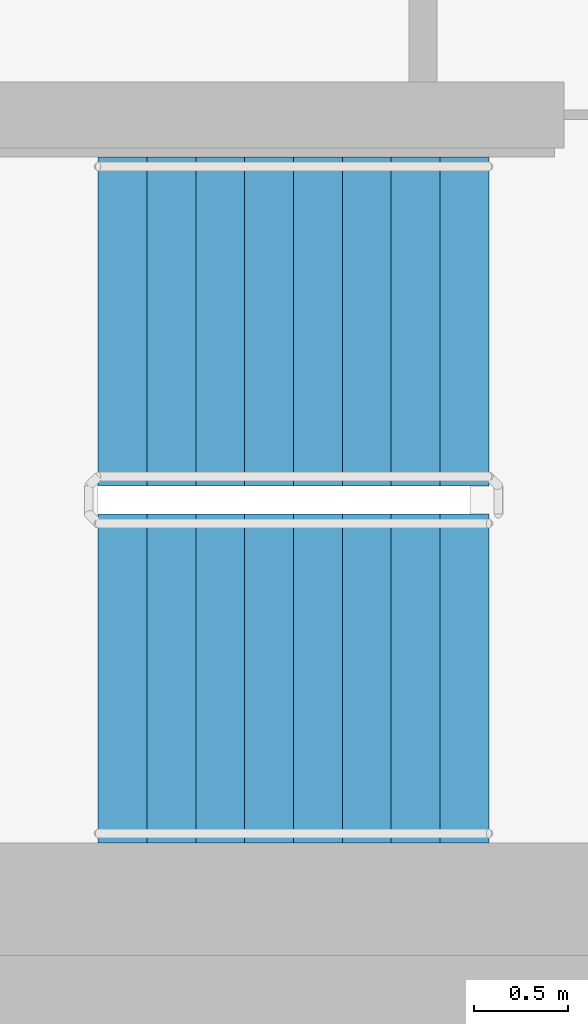
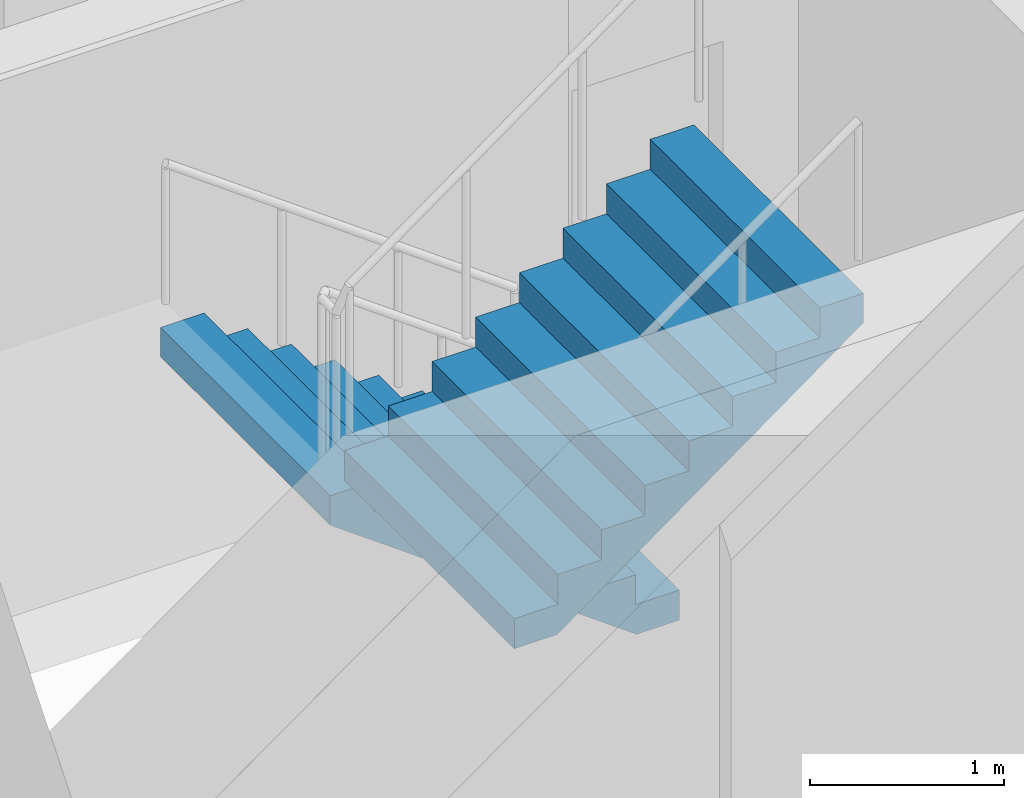
# One storey, part 12 of 18: 2 stair flights, 1 element without a shape of its own.
"""IFC4 building model written with IfcOpenShell, lengths in metres."""

from ifc_helpers import new_model, si_unit, direction, frame, origin, place, context, subcontext, project, spatial, faceted_brep, material, type_object, element, aggregate, save


model = new_model("IFC4")

# Units and contexts
model_context = context("Model", 3, precision=1e-05, world=origin(), true_north=direction((0.0, 1.0)))
body_context = subcontext(model_context, "Body", "Model", "MODEL_VIEW")
ifc_project = project(units=[si_unit("LENGTHUNIT", "METRE"), si_unit("AREAUNIT", "SQUARE_METRE"), si_unit("VOLUMEUNIT", "CUBIC_METRE"), si_unit("PLANEANGLEUNIT", "RADIAN"), si_unit("MASSUNIT", "GRAM", prefix="KILO")], contexts=[model_context])

# Site, building, storey
site_placement = place(None, origin())
site = spatial("IfcSite", under=ifc_project, at=site_placement, CompositionType="ELEMENT")
building_placement = place(site_placement, origin())
building = spatial("IfcBuilding", under=site, at=building_placement, Name="Ipe Terrace Towers", CompositionType="ELEMENT")
storey_placement = place(building_placement, frame((0.0, 0.0, 219.800048828125)))
storey = spatial("IfcBuildingStorey", under=building, at=storey_placement, Name="L61", CompositionType="ELEMENT", Elevation=219.800048828125)

# Stair, stair flights
ifc_material_1 = material(Name="Concrete C30/37", Category="concrete")
stair_type = type_object("IfcStairType", Name="Protected exit stair", PredefinedType="HALF_TURN_STAIR", material=ifc_material_1)
stair_placement = place(storey_placement, origin())
stair = element("IfcStair", 1, at=stair_placement, inside=storey, type_object=stair_type, Name="L61 Exit stair T1-C2", PredefinedType="HALF_TURN_STAIR")
ifc_material_2 = material(Name="Concrete C30/37", Category="concrete")
stair_flight_type = type_object("IfcStairFlightType", Name="Exit stair flight 1750", PredefinedType="STRAIGHT", material=ifc_material_2)
stair_flight_1_placement = place(storey_placement, frame((-45.699951171875, -2.77490234375, 0.0), z_axis=(0.0, 0.0, 1.0), x_axis=(-1.0, 0.0, 0.0)))
stair_flight_1 = element("IfcStairFlight", 2, at=stair_flight_1_placement, type_object=stair_flight_type, Name="T1-ST2 flight 1", NumberOfRisers=9, NumberOfTreads=8, PredefinedType="STRAIGHT", RiserHeight=0.188888889, TreadLength=0.26, context=body_context, shape_type="Brep", body=[
    faceted_brep([(0.255126953125, -0.875, 0.0), (2.080078125, -0.875, 1.325927734375), (2.080078125, -0.875, 1.51123046875), (1.820068359375, -0.875, 1.51123046875), (1.820068359375, -0.875, 1.322265625), (1.56005859375, -0.875, 1.322265625), (1.56005859375, -0.875, 1.13330078125), (1.300048828125, -0.875, 1.13330078125), (1.300048828125, -0.875, 0.9443359375), (1.0400390625, -0.875, 0.9443359375), (1.0400390625, -0.875, 0.755615234375), (0.780029296875, -0.875, 0.755615234375), (0.780029296875, -0.875, 0.566650390625), (0.52001953125, -0.875, 0.566650390625), (0.52001953125, -0.875, 0.377685546875), (0.260009765625, -0.875, 0.377685546875), (0.260009765625, -0.875, 0.18896484375), (0.0, -0.875, 0.18896484375), (0.0, -0.875, 0.0), (0.0, 0.875, 0.0), (0.0, 0.875, 0.18896484375), (0.260009765625, 0.875, 0.18896484375), (0.260009765625, 0.875, 0.377685546875), (0.52001953125, 0.875, 0.377685546875), (0.52001953125, 0.875, 0.566650390625), (0.780029296875, 0.875, 0.566650390625), (0.780029296875, 0.875, 0.755615234375), (1.0400390625, 0.875, 0.755615234375), (1.0400390625, 0.875, 0.9443359375), (1.300048828125, 0.875, 0.9443359375), (1.300048828125, 0.875, 1.13330078125), (1.56005859375, 0.875, 1.13330078125), (1.56005859375, 0.875, 1.322265625), (1.820068359375, 0.875, 1.322265625), (1.820068359375, 0.875, 1.51123046875), (2.080078125, 0.875, 1.51123046875), (2.080078125, 0.875, 1.325927734375), (0.255126953125, 0.875, 0.0), (0.0, -0.300048828125, 0.18896484375), (0.0, -0.1201171875, 0.18896484375), (0.0, -0.06005859375, 0.18896484375), (0.0, -0.030029296875, 0.18896484375), (0.0, -0.010009765625, 0.18896484375), (0.0, 0.0, 0.18896484375), (0.0, 0.010009765625, 0.18896484375), (0.0, 0.030029296875, 0.18896484375), (0.0, 0.06005859375, 0.18896484375), (0.0, 0.1201171875, 0.18896484375), (0.0, 0.300048828125, 0.18896484375), (0.0, 0.300048828125, 0.0), (0.0, 0.1201171875, 0.0), (0.0, 0.06005859375, 0.0), (0.0, 0.030029296875, 0.0), (0.0, 0.010009765625, 0.0), (0.0, 0.0, 0.0), (0.0, -0.010009765625, 0.0), (0.0, -0.030029296875, 0.0), (0.0, -0.06005859375, 0.0), (0.0, -0.1201171875, 0.0), (0.0, -0.300048828125, 0.0), (0.260009765625, -0.300048828125, 0.18896484375), (0.260009765625, -0.1201171875, 0.18896484375), (0.260009765625, -0.06005859375, 0.18896484375), (0.260009765625, -0.030029296875, 0.18896484375), (0.260009765625, -0.010009765625, 0.18896484375), (0.260009765625, 0.0, 0.18896484375), (0.260009765625, 0.010009765625, 0.18896484375), (0.260009765625, 0.030029296875, 0.18896484375), (0.260009765625, 0.06005859375, 0.18896484375), (0.260009765625, 0.1201171875, 0.18896484375), (0.260009765625, 0.300048828125, 0.18896484375), (0.260009765625, -0.300048828125, 0.377685546875), (0.260009765625, -0.1201171875, 0.377685546875), (0.260009765625, -0.06005859375, 0.377685546875), (0.260009765625, -0.030029296875, 0.377685546875), (0.260009765625, -0.010009765625, 0.377685546875), (0.260009765625, 0.0, 0.377685546875), (0.260009765625, 0.010009765625, 0.377685546875), (0.260009765625, 0.030029296875, 0.377685546875), (0.260009765625, 0.06005859375, 0.377685546875), (0.260009765625, 0.1201171875, 0.377685546875), (0.260009765625, 0.300048828125, 0.377685546875), (0.52001953125, -0.300048828125, 0.377685546875), (0.52001953125, -0.1201171875, 0.377685546875), (0.52001953125, -0.06005859375, 0.377685546875), (0.52001953125, -0.030029296875, 0.377685546875), (0.52001953125, -0.010009765625, 0.377685546875), (0.52001953125, 0.0, 0.377685546875), (0.52001953125, 0.010009765625, 0.377685546875), (0.52001953125, 0.030029296875, 0.377685546875), (0.52001953125, 0.06005859375, 0.377685546875), (0.52001953125, 0.1201171875, 0.377685546875), (0.52001953125, 0.300048828125, 0.377685546875), (0.52001953125, -0.300048828125, 0.566650390625), (0.52001953125, -0.1201171875, 0.566650390625), (0.52001953125, -0.06005859375, 0.566650390625), (0.52001953125, -0.030029296875, 0.566650390625), (0.52001953125, -0.010009765625, 0.566650390625), (0.52001953125, 0.0, 0.566650390625), (0.52001953125, 0.010009765625, 0.566650390625), (0.52001953125, 0.030029296875, 0.566650390625), (0.52001953125, 0.06005859375, 0.566650390625), (0.52001953125, 0.1201171875, 0.566650390625), (0.52001953125, 0.300048828125, 0.566650390625), (0.780029296875, -0.300048828125, 0.566650390625), (0.780029296875, -0.1201171875, 0.566650390625), (0.780029296875, -0.06005859375, 0.566650390625), (0.780029296875, -0.030029296875, 0.566650390625), (0.780029296875, -0.010009765625, 0.566650390625), (0.780029296875, 0.0, 0.566650390625), (0.780029296875, 0.010009765625, 0.566650390625), (0.780029296875, 0.030029296875, 0.566650390625), (0.780029296875, 0.06005859375, 0.566650390625), (0.780029296875, 0.1201171875, 0.566650390625), (0.780029296875, 0.300048828125, 0.566650390625), (0.780029296875, -0.300048828125, 0.755615234375), (0.780029296875, -0.1201171875, 0.755615234375), (0.780029296875, -0.06005859375, 0.755615234375), (0.780029296875, -0.030029296875, 0.755615234375), (0.780029296875, -0.010009765625, 0.755615234375), (0.780029296875, 0.0, 0.755615234375), (0.780029296875, 0.010009765625, 0.755615234375), (0.780029296875, 0.030029296875, 0.755615234375), (0.780029296875, 0.06005859375, 0.755615234375), (0.780029296875, 0.1201171875, 0.755615234375), (0.780029296875, 0.300048828125, 0.755615234375), (1.0400390625, -0.300048828125, 0.755615234375), (1.0400390625, -0.1201171875, 0.755615234375), (1.0400390625, -0.06005859375, 0.755615234375), (1.0400390625, -0.030029296875, 0.755615234375), (1.0400390625, -0.010009765625, 0.755615234375), (1.0400390625, 0.0, 0.755615234375), (1.0400390625, 0.010009765625, 0.755615234375), (1.0400390625, 0.030029296875, 0.755615234375), (1.0400390625, 0.06005859375, 0.755615234375), (1.0400390625, 0.1201171875, 0.755615234375), (1.0400390625, 0.300048828125, 0.755615234375), (1.0400390625, -0.300048828125, 0.9443359375), (1.0400390625, -0.1201171875, 0.9443359375), (1.0400390625, -0.06005859375, 0.9443359375), (1.0400390625, -0.030029296875, 0.9443359375), (1.0400390625, -0.010009765625, 0.9443359375), (1.0400390625, 0.0, 0.9443359375), (1.0400390625, 0.010009765625, 0.9443359375), (1.0400390625, 0.030029296875, 0.9443359375), (1.0400390625, 0.06005859375, 0.9443359375), (1.0400390625, 0.1201171875, 0.9443359375), (1.0400390625, 0.300048828125, 0.9443359375), (1.300048828125, -0.300048828125, 0.9443359375), (1.300048828125, -0.1201171875, 0.9443359375), (1.300048828125, -0.06005859375, 0.9443359375), (1.300048828125, -0.030029296875, 0.9443359375), (1.300048828125, -0.010009765625, 0.9443359375), (1.300048828125, 0.0, 0.9443359375), (1.300048828125, 0.010009765625, 0.9443359375), (1.300048828125, 0.030029296875, 0.9443359375), (1.300048828125, 0.06005859375, 0.9443359375), (1.300048828125, 0.1201171875, 0.9443359375), (1.300048828125, 0.300048828125, 0.9443359375), (1.300048828125, -0.300048828125, 1.13330078125), (1.300048828125, -0.1201171875, 1.13330078125), (1.300048828125, -0.06005859375, 1.13330078125), (1.300048828125, -0.030029296875, 1.13330078125), (1.300048828125, -0.010009765625, 1.13330078125), (1.300048828125, 0.0, 1.13330078125), (1.300048828125, 0.010009765625, 1.13330078125), (1.300048828125, 0.030029296875, 1.13330078125), (1.300048828125, 0.06005859375, 1.13330078125), (1.300048828125, 0.1201171875, 1.13330078125), (1.300048828125, 0.300048828125, 1.13330078125), (1.56005859375, -0.300048828125, 1.13330078125), (1.56005859375, -0.1201171875, 1.13330078125), (1.56005859375, -0.06005859375, 1.13330078125), (1.56005859375, -0.030029296875, 1.13330078125), (1.56005859375, -0.010009765625, 1.13330078125), (1.56005859375, 0.0, 1.13330078125), (1.56005859375, 0.010009765625, 1.13330078125), (1.56005859375, 0.030029296875, 1.13330078125), (1.56005859375, 0.06005859375, 1.13330078125), (1.56005859375, 0.1201171875, 1.13330078125), (1.56005859375, 0.300048828125, 1.13330078125), (1.56005859375, -0.300048828125, 1.322265625), (1.56005859375, -0.1201171875, 1.322265625), (1.56005859375, -0.06005859375, 1.322265625), (1.56005859375, -0.030029296875, 1.322265625), (1.56005859375, -0.010009765625, 1.322265625), (1.56005859375, 0.0, 1.322265625), (1.56005859375, 0.010009765625, 1.322265625), (1.56005859375, 0.030029296875, 1.322265625), (1.56005859375, 0.06005859375, 1.322265625), (1.56005859375, 0.1201171875, 1.322265625), (1.56005859375, 0.300048828125, 1.322265625), (1.820068359375, -0.300048828125, 1.322265625), (1.820068359375, -0.1201171875, 1.322265625), (1.820068359375, -0.06005859375, 1.322265625), (1.820068359375, -0.030029296875, 1.322265625), (1.820068359375, -0.010009765625, 1.322265625), (1.820068359375, 0.0, 1.322265625), (1.820068359375, 0.010009765625, 1.322265625), (1.820068359375, 0.030029296875, 1.322265625), (1.820068359375, 0.06005859375, 1.322265625), (1.820068359375, 0.1201171875, 1.322265625), (1.820068359375, 0.300048828125, 1.322265625), (1.820068359375, -0.300048828125, 1.51123046875), (1.820068359375, -0.1201171875, 1.51123046875), (1.820068359375, -0.06005859375, 1.51123046875), (1.820068359375, -0.030029296875, 1.51123046875), (1.820068359375, -0.010009765625, 1.51123046875), (1.820068359375, 0.0, 1.51123046875), (1.820068359375, 0.010009765625, 1.51123046875), (1.820068359375, 0.030029296875, 1.51123046875), (1.820068359375, 0.06005859375, 1.51123046875), (1.820068359375, 0.1201171875, 1.51123046875), (1.820068359375, 0.300048828125, 1.51123046875), (2.080078125, -0.300048828125, 1.51123046875), (2.080078125, -0.1201171875, 1.51123046875), (2.080078125, -0.06005859375, 1.51123046875), (2.080078125, -0.030029296875, 1.51123046875), (2.080078125, -0.010009765625, 1.51123046875), (2.080078125, 0.0, 1.51123046875), (2.080078125, 0.010009765625, 1.51123046875), (2.080078125, 0.030029296875, 1.51123046875), (2.080078125, 0.06005859375, 1.51123046875), (2.080078125, 0.1201171875, 1.51123046875), (2.080078125, 0.300048828125, 1.51123046875), (2.080078125, -0.300048828125, 1.325927734375), (2.080078125, -0.1201171875, 1.325927734375), (2.080078125, -0.06005859375, 1.325927734375), (2.080078125, -0.030029296875, 1.325927734375), (2.080078125, -0.010009765625, 1.325927734375), (2.080078125, 0.0, 1.325927734375), (2.080078125, 0.010009765625, 1.325927734375), (2.080078125, 0.030029296875, 1.325927734375), (2.080078125, 0.06005859375, 1.325927734375), (2.080078125, 0.1201171875, 1.325927734375), (2.080078125, 0.300048828125, 1.325927734375), (0.255126953125, -0.300048828125, 0.0), (0.255126953125, -0.1201171875, 0.0), (0.255126953125, -0.06005859375, 0.0), (0.255126953125, -0.030029296875, 0.0), (0.255126953125, -0.010009765625, 0.0), (0.255126953125, 0.0, 0.0), (0.255126953125, 0.010009765625, 0.0), (0.255126953125, 0.030029296875, 0.0), (0.255126953125, 0.06005859375, 0.0), (0.255126953125, 0.1201171875, 0.0), (0.255126953125, 0.300048828125, 0.0)], [[[0, 1, 2, 3, 4, 5, 6, 7, 8, 9, 10, 11, 12, 13, 14, 15, 16, 17, 18]], [[19, 20, 21, 22, 23, 24, 25, 26, 27, 28, 29, 30, 31, 32, 33, 34, 35, 36, 37]], [[17, 38, 39, 40, 41, 42, 43, 44, 45, 46, 47, 48, 20, 19, 49, 50, 51, 52, 53, 54, 55, 56, 57, 58, 59, 18]], [[16, 60, 61, 62, 63, 64, 65, 66, 67, 68, 69, 70, 21, 20, 48, 47, 46, 45, 44, 43, 42, 41, 40, 39, 38, 17]], [[15, 71, 72, 73, 74, 75, 76, 77, 78, 79, 80, 81, 22, 21, 70, 69, 68, 67, 66, 65, 64, 63, 62, 61, 60, 16]], [[14, 82, 83, 84, 85, 86, 87, 88, 89, 90, 91, 92, 23, 22, 81, 80, 79, 78, 77, 76, 75, 74, 73, 72, 71, 15]], [[13, 93, 94, 95, 96, 97, 98, 99, 100, 101, 102, 103, 24, 23, 92, 91, 90, 89, 88, 87, 86, 85, 84, 83, 82, 14]], [[12, 104, 105, 106, 107, 108, 109, 110, 111, 112, 113, 114, 25, 24, 103, 102, 101, 100, 99, 98, 97, 96, 95, 94, 93, 13]], [[11, 115, 116, 117, 118, 119, 120, 121, 122, 123, 124, 125, 26, 25, 114, 113, 112, 111, 110, 109, 108, 107, 106, 105, 104, 12]], [[10, 126, 127, 128, 129, 130, 131, 132, 133, 134, 135, 136, 27, 26, 125, 124, 123, 122, 121, 120, 119, 118, 117, 116, 115, 11]], [[9, 137, 138, 139, 140, 141, 142, 143, 144, 145, 146, 147, 28, 27, 136, 135, 134, 133, 132, 131, 130, 129, 128, 127, 126, 10]], [[8, 148, 149, 150, 151, 152, 153, 154, 155, 156, 157, 158, 29, 28, 147, 146, 145, 144, 143, 142, 141, 140, 139, 138, 137, 9]], [[7, 159, 160, 161, 162, 163, 164, 165, 166, 167, 168, 169, 30, 29, 158, 157, 156, 155, 154, 153, 152, 151, 150, 149, 148, 8]], [[6, 170, 171, 172, 173, 174, 175, 176, 177, 178, 179, 180, 31, 30, 169, 168, 167, 166, 165, 164, 163, 162, 161, 160, 159, 7]], [[5, 181, 182, 183, 184, 185, 186, 187, 188, 189, 190, 191, 32, 31, 180, 179, 178, 177, 176, 175, 174, 173, 172, 171, 170, 6]], [[4, 192, 193, 194, 195, 196, 197, 198, 199, 200, 201, 202, 33, 32, 191, 190, 189, 188, 187, 186, 185, 184, 183, 182, 181, 5]], [[3, 203, 204, 205, 206, 207, 208, 209, 210, 211, 212, 213, 34, 33, 202, 201, 200, 199, 198, 197, 196, 195, 194, 193, 192, 4]], [[2, 214, 215, 216, 217, 218, 219, 220, 221, 222, 223, 224, 35, 34, 213, 212, 211, 210, 209, 208, 207, 206, 205, 204, 203, 3]], [[1, 225, 226, 227, 228, 229, 230, 231, 232, 233, 234, 235, 36, 35, 224, 223, 222, 221, 220, 219, 218, 217, 216, 215, 214, 2]], [[0, 236, 237, 238, 239, 240, 241, 242, 243, 244, 245, 246, 37, 36, 235, 234, 233, 232, 231, 230, 229, 228, 227, 226, 225, 1]], [[18, 59, 58, 57, 56, 55, 54, 53, 52, 51, 50, 49, 19, 37, 246, 245, 244, 243, 242, 241, 240, 239, 238, 237, 236, 0]]]),
])
stair_flight_2_placement = place(storey_placement, frame((-47.780029296875, -4.675048828125, 1.699951171875), z_axis=(0.0, 0.0, 1.0), x_axis=(1.0, 0.0, 0.0)))
stair_flight_2 = element("IfcStairFlight", 3, at=stair_flight_2_placement, type_object=stair_flight_type, Name="T1-ST2 flight 2", NumberOfRisers=9, NumberOfTreads=8, PredefinedType="STRAIGHT", RiserHeight=0.188888889, TreadLength=0.26, context=body_context, shape_type="Brep", body=[
    faceted_brep([(0.255126953125, -0.875, 0.0), (2.080078125, -0.875, 1.325927734375), (2.080078125, -0.875, 1.51123046875), (1.820068359375, -0.875, 1.51123046875), (1.820068359375, -0.875, 1.322265625), (1.56005859375, -0.875, 1.322265625), (1.56005859375, -0.875, 1.13330078125), (1.300048828125, -0.875, 1.13330078125), (1.300048828125, -0.875, 0.9443359375), (1.0400390625, -0.875, 0.9443359375), (1.0400390625, -0.875, 0.755615234375), (0.780029296875, -0.875, 0.755615234375), (0.780029296875, -0.875, 0.566650390625), (0.52001953125, -0.875, 0.566650390625), (0.52001953125, -0.875, 0.377685546875), (0.260009765625, -0.875, 0.377685546875), (0.260009765625, -0.875, 0.18896484375), (0.0, -0.875, 0.18896484375), (0.0, -0.875, 0.0), (0.0, 0.875, 0.0), (0.0, 0.875, 0.18896484375), (0.260009765625, 0.875, 0.18896484375), (0.260009765625, 0.875, 0.377685546875), (0.52001953125, 0.875, 0.377685546875), (0.52001953125, 0.875, 0.566650390625), (0.780029296875, 0.875, 0.566650390625), (0.780029296875, 0.875, 0.755615234375), (1.0400390625, 0.875, 0.755615234375), (1.0400390625, 0.875, 0.9443359375), (1.300048828125, 0.875, 0.9443359375), (1.300048828125, 0.875, 1.13330078125), (1.56005859375, 0.875, 1.13330078125), (1.56005859375, 0.875, 1.322265625), (1.820068359375, 0.875, 1.322265625), (1.820068359375, 0.875, 1.51123046875), (2.080078125, 0.875, 1.51123046875), (2.080078125, 0.875, 1.325927734375), (0.255126953125, 0.875, 0.0), (0.0, -0.300048828125, 0.18896484375), (0.0, -0.1201171875, 0.18896484375), (0.0, -0.06005859375, 0.18896484375), (0.0, -0.030029296875, 0.18896484375), (0.0, -0.010009765625, 0.18896484375), (0.0, 0.0, 0.18896484375), (0.0, 0.010009765625, 0.18896484375), (0.0, 0.030029296875, 0.18896484375), (0.0, 0.06005859375, 0.18896484375), (0.0, 0.1201171875, 0.18896484375), (0.0, 0.300048828125, 0.18896484375), (0.0, 0.300048828125, 0.0), (0.0, 0.1201171875, 0.0), (0.0, 0.06005859375, 0.0), (0.0, 0.030029296875, 0.0), (0.0, 0.010009765625, 0.0), (0.0, 0.0, 0.0), (0.0, -0.010009765625, 0.0), (0.0, -0.030029296875, 0.0), (0.0, -0.06005859375, 0.0), (0.0, -0.1201171875, 0.0), (0.0, -0.300048828125, 0.0), (0.260009765625, -0.300048828125, 0.18896484375), (0.260009765625, -0.1201171875, 0.18896484375), (0.260009765625, -0.06005859375, 0.18896484375), (0.260009765625, -0.030029296875, 0.18896484375), (0.260009765625, -0.010009765625, 0.18896484375), (0.260009765625, 0.0, 0.18896484375), (0.260009765625, 0.010009765625, 0.18896484375), (0.260009765625, 0.030029296875, 0.18896484375), (0.260009765625, 0.06005859375, 0.18896484375), (0.260009765625, 0.1201171875, 0.18896484375), (0.260009765625, 0.300048828125, 0.18896484375), (0.260009765625, -0.300048828125, 0.377685546875), (0.260009765625, -0.1201171875, 0.377685546875), (0.260009765625, -0.06005859375, 0.377685546875), (0.260009765625, -0.030029296875, 0.377685546875), (0.260009765625, -0.010009765625, 0.377685546875), (0.260009765625, 0.0, 0.377685546875), (0.260009765625, 0.010009765625, 0.377685546875), (0.260009765625, 0.030029296875, 0.377685546875), (0.260009765625, 0.06005859375, 0.377685546875), (0.260009765625, 0.1201171875, 0.377685546875), (0.260009765625, 0.300048828125, 0.377685546875), (0.52001953125, -0.300048828125, 0.377685546875), (0.52001953125, -0.1201171875, 0.377685546875), (0.52001953125, -0.06005859375, 0.377685546875), (0.52001953125, -0.030029296875, 0.377685546875), (0.52001953125, -0.010009765625, 0.377685546875), (0.52001953125, 0.0, 0.377685546875), (0.52001953125, 0.010009765625, 0.377685546875), (0.52001953125, 0.030029296875, 0.377685546875), (0.52001953125, 0.06005859375, 0.377685546875), (0.52001953125, 0.1201171875, 0.377685546875), (0.52001953125, 0.300048828125, 0.377685546875), (0.52001953125, -0.300048828125, 0.566650390625), (0.52001953125, -0.1201171875, 0.566650390625), (0.52001953125, -0.06005859375, 0.566650390625), (0.52001953125, -0.030029296875, 0.566650390625), (0.52001953125, -0.010009765625, 0.566650390625), (0.52001953125, 0.0, 0.566650390625), (0.52001953125, 0.010009765625, 0.566650390625), (0.52001953125, 0.030029296875, 0.566650390625), (0.52001953125, 0.06005859375, 0.566650390625), (0.52001953125, 0.1201171875, 0.566650390625), (0.52001953125, 0.300048828125, 0.566650390625), (0.780029296875, -0.300048828125, 0.566650390625), (0.780029296875, -0.1201171875, 0.566650390625), (0.780029296875, -0.06005859375, 0.566650390625), (0.780029296875, -0.030029296875, 0.566650390625), (0.780029296875, -0.010009765625, 0.566650390625), (0.780029296875, 0.0, 0.566650390625), (0.780029296875, 0.010009765625, 0.566650390625), (0.780029296875, 0.030029296875, 0.566650390625), (0.780029296875, 0.06005859375, 0.566650390625), (0.780029296875, 0.1201171875, 0.566650390625), (0.780029296875, 0.300048828125, 0.566650390625), (0.780029296875, -0.300048828125, 0.755615234375), (0.780029296875, -0.1201171875, 0.755615234375), (0.780029296875, -0.06005859375, 0.755615234375), (0.780029296875, -0.030029296875, 0.755615234375), (0.780029296875, -0.010009765625, 0.755615234375), (0.780029296875, 0.0, 0.755615234375), (0.780029296875, 0.010009765625, 0.755615234375), (0.780029296875, 0.030029296875, 0.755615234375), (0.780029296875, 0.06005859375, 0.755615234375), (0.780029296875, 0.1201171875, 0.755615234375), (0.780029296875, 0.300048828125, 0.755615234375), (1.0400390625, -0.300048828125, 0.755615234375), (1.0400390625, -0.1201171875, 0.755615234375), (1.0400390625, -0.06005859375, 0.755615234375), (1.0400390625, -0.030029296875, 0.755615234375), (1.0400390625, -0.010009765625, 0.755615234375), (1.0400390625, 0.0, 0.755615234375), (1.0400390625, 0.010009765625, 0.755615234375), (1.0400390625, 0.030029296875, 0.755615234375), (1.0400390625, 0.06005859375, 0.755615234375), (1.0400390625, 0.1201171875, 0.755615234375), (1.0400390625, 0.300048828125, 0.755615234375), (1.0400390625, -0.300048828125, 0.9443359375), (1.0400390625, -0.1201171875, 0.9443359375), (1.0400390625, -0.06005859375, 0.9443359375), (1.0400390625, -0.030029296875, 0.9443359375), (1.0400390625, -0.010009765625, 0.9443359375), (1.0400390625, 0.0, 0.9443359375), (1.0400390625, 0.010009765625, 0.9443359375), (1.0400390625, 0.030029296875, 0.9443359375), (1.0400390625, 0.06005859375, 0.9443359375), (1.0400390625, 0.1201171875, 0.9443359375), (1.0400390625, 0.300048828125, 0.9443359375), (1.300048828125, -0.300048828125, 0.9443359375), (1.300048828125, -0.1201171875, 0.9443359375), (1.300048828125, -0.06005859375, 0.9443359375), (1.300048828125, -0.030029296875, 0.9443359375), (1.300048828125, -0.010009765625, 0.9443359375), (1.300048828125, 0.0, 0.9443359375), (1.300048828125, 0.010009765625, 0.9443359375), (1.300048828125, 0.030029296875, 0.9443359375), (1.300048828125, 0.06005859375, 0.9443359375), (1.300048828125, 0.1201171875, 0.9443359375), (1.300048828125, 0.300048828125, 0.9443359375), (1.300048828125, -0.300048828125, 1.13330078125), (1.300048828125, -0.1201171875, 1.13330078125), (1.300048828125, -0.06005859375, 1.13330078125), (1.300048828125, -0.030029296875, 1.13330078125), (1.300048828125, -0.010009765625, 1.13330078125), (1.300048828125, 0.0, 1.13330078125), (1.300048828125, 0.010009765625, 1.13330078125), (1.300048828125, 0.030029296875, 1.13330078125), (1.300048828125, 0.06005859375, 1.13330078125), (1.300048828125, 0.1201171875, 1.13330078125), (1.300048828125, 0.300048828125, 1.13330078125), (1.56005859375, -0.300048828125, 1.13330078125), (1.56005859375, -0.1201171875, 1.13330078125), (1.56005859375, -0.06005859375, 1.13330078125), (1.56005859375, -0.030029296875, 1.13330078125), (1.56005859375, -0.010009765625, 1.13330078125), (1.56005859375, 0.0, 1.13330078125), (1.56005859375, 0.010009765625, 1.13330078125), (1.56005859375, 0.030029296875, 1.13330078125), (1.56005859375, 0.06005859375, 1.13330078125), (1.56005859375, 0.1201171875, 1.13330078125), (1.56005859375, 0.300048828125, 1.13330078125), (1.56005859375, -0.300048828125, 1.322265625), (1.56005859375, -0.1201171875, 1.322265625), (1.56005859375, -0.06005859375, 1.322265625), (1.56005859375, -0.030029296875, 1.322265625), (1.56005859375, -0.010009765625, 1.322265625), (1.56005859375, 0.0, 1.322265625), (1.56005859375, 0.010009765625, 1.322265625), (1.56005859375, 0.030029296875, 1.322265625), (1.56005859375, 0.06005859375, 1.322265625), (1.56005859375, 0.1201171875, 1.322265625), (1.56005859375, 0.300048828125, 1.322265625), (1.820068359375, -0.300048828125, 1.322265625), (1.820068359375, -0.1201171875, 1.322265625), (1.820068359375, -0.06005859375, 1.322265625), (1.820068359375, -0.030029296875, 1.322265625), (1.820068359375, -0.010009765625, 1.322265625), (1.820068359375, 0.0, 1.322265625), (1.820068359375, 0.010009765625, 1.322265625), (1.820068359375, 0.030029296875, 1.322265625), (1.820068359375, 0.06005859375, 1.322265625), (1.820068359375, 0.1201171875, 1.322265625), (1.820068359375, 0.300048828125, 1.322265625), (1.820068359375, -0.300048828125, 1.51123046875), (1.820068359375, -0.1201171875, 1.51123046875), (1.820068359375, -0.06005859375, 1.51123046875), (1.820068359375, -0.030029296875, 1.51123046875), (1.820068359375, -0.010009765625, 1.51123046875), (1.820068359375, 0.0, 1.51123046875), (1.820068359375, 0.010009765625, 1.51123046875), (1.820068359375, 0.030029296875, 1.51123046875), (1.820068359375, 0.06005859375, 1.51123046875), (1.820068359375, 0.1201171875, 1.51123046875), (1.820068359375, 0.300048828125, 1.51123046875), (2.080078125, -0.300048828125, 1.51123046875), (2.080078125, -0.1201171875, 1.51123046875), (2.080078125, -0.06005859375, 1.51123046875), (2.080078125, -0.030029296875, 1.51123046875), (2.080078125, -0.010009765625, 1.51123046875), (2.080078125, 0.0, 1.51123046875), (2.080078125, 0.010009765625, 1.51123046875), (2.080078125, 0.030029296875, 1.51123046875), (2.080078125, 0.06005859375, 1.51123046875), (2.080078125, 0.1201171875, 1.51123046875), (2.080078125, 0.300048828125, 1.51123046875), (2.080078125, -0.300048828125, 1.325927734375), (2.080078125, -0.1201171875, 1.325927734375), (2.080078125, -0.06005859375, 1.325927734375), (2.080078125, -0.030029296875, 1.325927734375), (2.080078125, -0.010009765625, 1.325927734375), (2.080078125, 0.0, 1.325927734375), (2.080078125, 0.010009765625, 1.325927734375), (2.080078125, 0.030029296875, 1.325927734375), (2.080078125, 0.06005859375, 1.325927734375), (2.080078125, 0.1201171875, 1.325927734375), (2.080078125, 0.300048828125, 1.325927734375), (0.255126953125, -0.300048828125, 0.0), (0.255126953125, -0.1201171875, 0.0), (0.255126953125, -0.06005859375, 0.0), (0.255126953125, -0.030029296875, 0.0), (0.255126953125, -0.010009765625, 0.0), (0.255126953125, 0.0, 0.0), (0.255126953125, 0.010009765625, 0.0), (0.255126953125, 0.030029296875, 0.0), (0.255126953125, 0.06005859375, 0.0), (0.255126953125, 0.1201171875, 0.0), (0.255126953125, 0.300048828125, 0.0)], [[[0, 1, 2, 3, 4, 5, 6, 7, 8, 9, 10, 11, 12, 13, 14, 15, 16, 17, 18]], [[19, 20, 21, 22, 23, 24, 25, 26, 27, 28, 29, 30, 31, 32, 33, 34, 35, 36, 37]], [[17, 38, 39, 40, 41, 42, 43, 44, 45, 46, 47, 48, 20, 19, 49, 50, 51, 52, 53, 54, 55, 56, 57, 58, 59, 18]], [[16, 60, 61, 62, 63, 64, 65, 66, 67, 68, 69, 70, 21, 20, 48, 47, 46, 45, 44, 43, 42, 41, 40, 39, 38, 17]], [[15, 71, 72, 73, 74, 75, 76, 77, 78, 79, 80, 81, 22, 21, 70, 69, 68, 67, 66, 65, 64, 63, 62, 61, 60, 16]], [[14, 82, 83, 84, 85, 86, 87, 88, 89, 90, 91, 92, 23, 22, 81, 80, 79, 78, 77, 76, 75, 74, 73, 72, 71, 15]], [[13, 93, 94, 95, 96, 97, 98, 99, 100, 101, 102, 103, 24, 23, 92, 91, 90, 89, 88, 87, 86, 85, 84, 83, 82, 14]], [[12, 104, 105, 106, 107, 108, 109, 110, 111, 112, 113, 114, 25, 24, 103, 102, 101, 100, 99, 98, 97, 96, 95, 94, 93, 13]], [[11, 115, 116, 117, 118, 119, 120, 121, 122, 123, 124, 125, 26, 25, 114, 113, 112, 111, 110, 109, 108, 107, 106, 105, 104, 12]], [[10, 126, 127, 128, 129, 130, 131, 132, 133, 134, 135, 136, 27, 26, 125, 124, 123, 122, 121, 120, 119, 118, 117, 116, 115, 11]], [[9, 137, 138, 139, 140, 141, 142, 143, 144, 145, 146, 147, 28, 27, 136, 135, 134, 133, 132, 131, 130, 129, 128, 127, 126, 10]], [[8, 148, 149, 150, 151, 152, 153, 154, 155, 156, 157, 158, 29, 28, 147, 146, 145, 144, 143, 142, 141, 140, 139, 138, 137, 9]], [[7, 159, 160, 161, 162, 163, 164, 165, 166, 167, 168, 169, 30, 29, 158, 157, 156, 155, 154, 153, 152, 151, 150, 149, 148, 8]], [[6, 170, 171, 172, 173, 174, 175, 176, 177, 178, 179, 180, 31, 30, 169, 168, 167, 166, 165, 164, 163, 162, 161, 160, 159, 7]], [[5, 181, 182, 183, 184, 185, 186, 187, 188, 189, 190, 191, 32, 31, 180, 179, 178, 177, 176, 175, 174, 173, 172, 171, 170, 6]], [[4, 192, 193, 194, 195, 196, 197, 198, 199, 200, 201, 202, 33, 32, 191, 190, 189, 188, 187, 186, 185, 184, 183, 182, 181, 5]], [[3, 203, 204, 205, 206, 207, 208, 209, 210, 211, 212, 213, 34, 33, 202, 201, 200, 199, 198, 197, 196, 195, 194, 193, 192, 4]], [[2, 214, 215, 216, 217, 218, 219, 220, 221, 222, 223, 224, 35, 34, 213, 212, 211, 210, 209, 208, 207, 206, 205, 204, 203, 3]], [[1, 225, 226, 227, 228, 229, 230, 231, 232, 233, 234, 235, 36, 35, 224, 223, 222, 221, 220, 219, 218, 217, 216, 215, 214, 2]], [[0, 236, 237, 238, 239, 240, 241, 242, 243, 244, 245, 246, 37, 36, 235, 234, 233, 232, 231, 230, 229, 228, 227, 226, 225, 1]], [[18, 59, 58, 57, 56, 55, 54, 53, 52, 51, 50, 49, 19, 37, 246, 245, 244, 243, 242, 241, 240, 239, 238, 237, 236, 0]]]),
])
aggregate(stair, [stair_flight_1, stair_flight_2])

save(model, "model.ifc")
